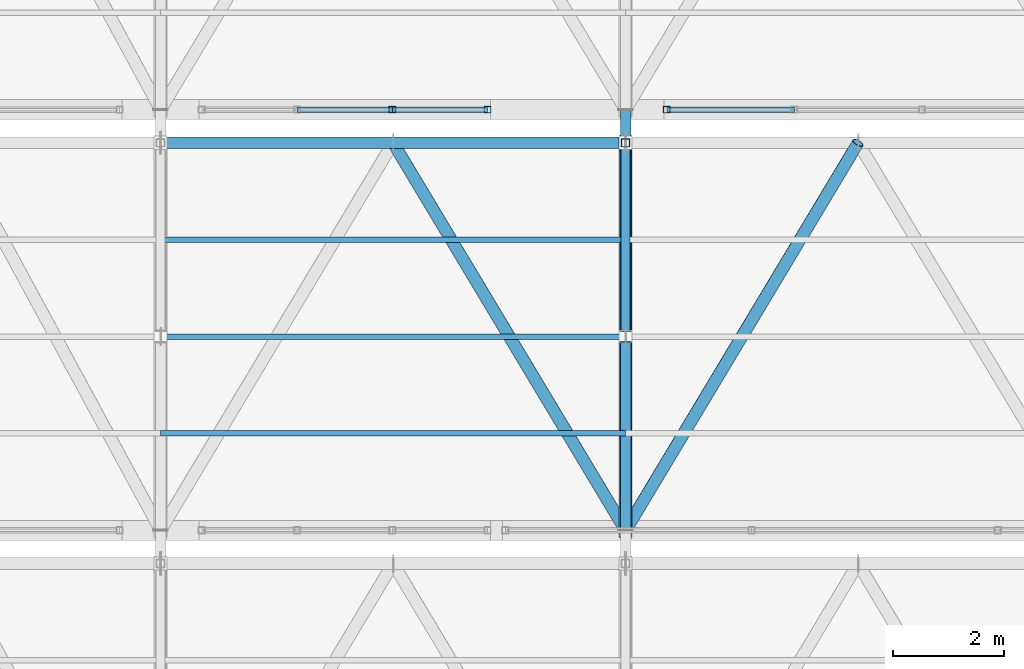
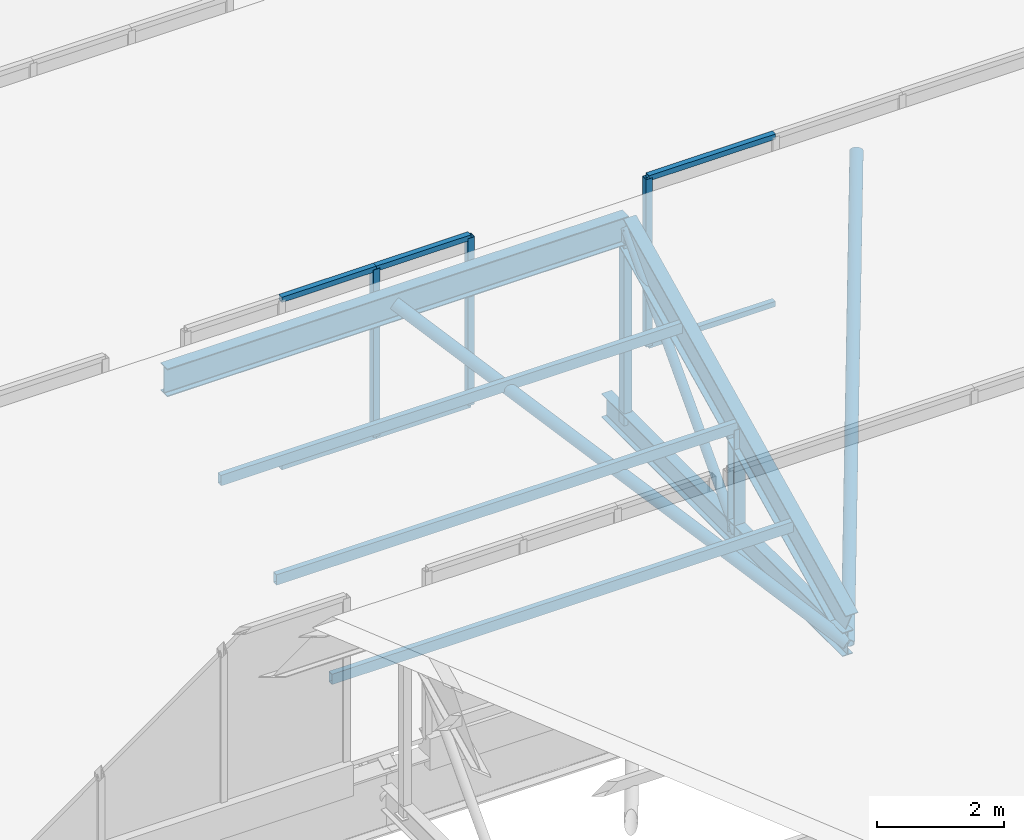
# One storey, part 15 of 57: 20 members, 2 elements without a shape of their own.
"""IFC4 building model written with IfcOpenShell, lengths in metres."""

from ifc_helpers import new_model, si_unit, direction, frame, origin, origin_2d, place, context, subcontext, project, spatial, hollow_rectangle, hollow_circle, i_section, extrude, material, material_profile, profile_set, type_object, element, aggregate, save


model = new_model("IFC4")

# Units and contexts
model_context = context("Model", 3, precision=1e-05, world=origin(), true_north=direction((0.0, 1.0)))
body_context = subcontext(model_context, "Body", "Model", "MODEL_VIEW")
ifc_project = project(units=[si_unit("LENGTHUNIT", "METRE"), si_unit("AREAUNIT", "SQUARE_METRE"), si_unit("VOLUMEUNIT", "CUBIC_METRE"), si_unit("PLANEANGLEUNIT", "RADIAN"), si_unit("MASSUNIT", "GRAM", prefix="KILO")], contexts=[model_context])

# Site, building, storey
site_placement = place(None, origin())
site = spatial("IfcSite", under=ifc_project, at=site_placement, CompositionType="ELEMENT")
building_placement = place(site_placement, origin())
building = spatial("IfcBuilding", under=site, at=building_placement, Name="Zuvorla Pavilion Media Centre", CompositionType="ELEMENT")
storey_placement = place(building_placement, frame((0.0, 0.0, 18.0)))
storey = spatial("IfcBuildingStorey", under=building, at=storey_placement, Name="L04", CompositionType="ELEMENT", Elevation=18.0)

# Curtain wall, members
ifc_material_1 = material(Name="Unitised anodised aluminium and solar glass curtain wall", Category="aluminium")
curtain_wall_type_1 = type_object("IfcCurtainWallType", Name="CW-SYS-91", PredefinedType="USERDEFINED", material=ifc_material_1)
curtain_wall_1_placement = place(storey_placement, origin())
curtain_wall_1 = element("IfcCurtainWall", 1, at=curtain_wall_1_placement, inside=storey, type_object=curtain_wall_type_1, Name="L04 curtain wall CW91 241", ObjectType="CURTAIN WALL", PredefinedType="USERDEFINED")
ifc_material_2 = material(Name="Anodised aluminium 6063-T6", Category="aluminium")
ifc_material_profile_1 = material_profile(ifc_material_2, hollow_rectangle(XDim=0.1201171875, YDim=0.1201171875, WallThickness=0.0048828125, at=origin_2d()), Name="ALU MULL 120x120")
ifc_profile_set_1 = profile_set([ifc_material_profile_1], Name="Anodised aluminium 6063-T6")
member_type_1 = type_object("IfcMemberType", Name="CW-MULL-120", PredefinedType="MULLION", material=ifc_profile_set_1)
member_1_placement = place(storey_placement, frame((129.785888671875, 36.39990234375, 0.0), z_axis=(0.0, 0.0, 1.0), x_axis=(1.0, 0.0, 0.0)))
member_1 = element("IfcMember", 2, at=member_1_placement, type_object=member_type_1, Name="CW91 mullion 3", PredefinedType="MULLION", context=body_context, shape_type="SweptSolid", body=[
    extrude(hollow_rectangle(XDim=0.1201171875, YDim=0.1201171875, WallThickness=0.0048828125, at=origin_2d()), origin(), (0.0, 0.0, 1.0), 3.219970703125),
])
member_2_placement = place(storey_placement, frame((131.506591796875, 36.39990234375, 0.0), z_axis=(0.0, 0.0, 1.0), x_axis=(1.0, 0.0, 0.0)))
member_2 = element("IfcMember", 3, at=member_2_placement, type_object=member_type_1, Name="CW91 mullion 4", PredefinedType="MULLION", context=body_context, shape_type="SweptSolid", body=[
    extrude(hollow_rectangle(XDim=0.1201171875, YDim=0.1201171875, WallThickness=0.0048828125, at=origin_2d()), origin(), (0.0, 0.0, 1.0), 3.219970703125),
])

# Curtain wall, member
curtain_wall_type_2 = type_object("IfcCurtainWallType", Name="CW-SYS-92", PredefinedType="USERDEFINED", material=ifc_material_1)
curtain_wall_2_placement = place(storey_placement, origin())
curtain_wall_2 = element("IfcCurtainWall", 4, at=curtain_wall_2_placement, inside=storey, type_object=curtain_wall_type_2, Name="L04 curtain wall CW92 242", ObjectType="CURTAIN WALL", PredefinedType="USERDEFINED")
member_3_placement = place(storey_placement, frame((134.744384765625, 36.39990234375, 0.0), z_axis=(0.0, 0.0, 1.0), x_axis=(1.0, 0.0, 0.0)))
member_3 = element("IfcMember", 5, at=member_3_placement, type_object=member_type_1, Name="CW92 mullion 1", PredefinedType="MULLION", context=body_context, shape_type="SweptSolid", body=[
    extrude(hollow_rectangle(XDim=0.1201171875, YDim=0.1201171875, WallThickness=0.0048828125, at=origin_2d()), origin(), (0.0, 0.0, 1.0), 3.219970703125),
])

# Member
ifc_material_profile_2 = material_profile(ifc_material_2, hollow_rectangle(XDim=0.10009765625, YDim=0.10009765625, WallThickness=0.00439453125, at=origin_2d()), Name="ALU TRAN 100x100")
ifc_profile_set_2 = profile_set([ifc_material_profile_2], Name="Anodised aluminium 6063-T6")
member_type_2 = type_object("IfcMemberType", Name="CW-TRAN-100", PredefinedType="USERDEFINED", material=ifc_profile_set_2)
member_4_placement = place(storey_placement, frame((128.065185546875, 36.39990234375, 0.0), z_axis=(1.0, 0.0, 0.0), x_axis=(0.0, 1.0, 0.0)))
member_4 = element("IfcMember", 6, at=member_4_placement, type_object=member_type_2, Name="CW91 transom 2.1", ObjectType="TRANSOM", PredefinedType="USERDEFINED", context=body_context, shape_type="SweptSolid", body=[
    extrude(hollow_rectangle(XDim=0.10009765625, YDim=0.10009765625, WallThickness=0.00439453125, at=origin_2d()), origin(), (0.0, 0.0, 1.0), 1.720703125),
])

member_5_placement = place(storey_placement, frame((128.065185546875, 36.39990234375, 3.219970703125), z_axis=(1.0, 0.0, 0.0), x_axis=(0.0, 1.0, 0.0)))
member_5 = element("IfcMember", 7, at=member_5_placement, type_object=member_type_2, Name="CW91 transom 2.2", ObjectType="TRANSOM", PredefinedType="USERDEFINED", context=body_context, shape_type="SweptSolid", body=[
    extrude(hollow_rectangle(XDim=0.10009765625, YDim=0.10009765625, WallThickness=0.00439453125, at=origin_2d()), origin(), (0.0, 0.0, 1.0), 1.720703125),
])

member_6_placement = place(storey_placement, frame((129.785888671875, 36.39990234375, 0.0), z_axis=(1.0, 0.0, 0.0), x_axis=(0.0, 1.0, 0.0)))
member_6 = element("IfcMember", 8, at=member_6_placement, type_object=member_type_2, Name="CW91 transom 3.1", ObjectType="TRANSOM", PredefinedType="USERDEFINED", context=body_context, shape_type="SweptSolid", body=[
    extrude(hollow_rectangle(XDim=0.10009765625, YDim=0.10009765625, WallThickness=0.00439453125, at=origin_2d()), origin(), (0.0, 0.0, 1.0), 1.720703125),
])

member_7_placement = place(storey_placement, frame((129.785888671875, 36.39990234375, 3.219970703125), z_axis=(1.0, 0.0, 0.0), x_axis=(0.0, 1.0, 0.0)))
member_7 = element("IfcMember", 9, at=member_7_placement, type_object=member_type_2, Name="CW91 transom 3.2", ObjectType="TRANSOM", PredefinedType="USERDEFINED", context=body_context, shape_type="SweptSolid", body=[
    extrude(hollow_rectangle(XDim=0.10009765625, YDim=0.10009765625, WallThickness=0.00439453125, at=origin_2d()), origin(), (0.0, 0.0, 1.0), 1.720703125),
])

aggregate(curtain_wall_1, [member_1, member_2, member_4, member_5, member_6, member_7])

member_8_placement = place(storey_placement, frame((134.744384765625, 36.39990234375, 0.0), z_axis=(1.0, 0.0, 0.0), x_axis=(0.0, 1.0, 0.0)))
member_8 = element("IfcMember", 10, at=member_8_placement, type_object=member_type_2, Name="CW92 transom 1.1", ObjectType="TRANSOM", PredefinedType="USERDEFINED", context=body_context, shape_type="SweptSolid", body=[
    extrude(hollow_rectangle(XDim=0.10009765625, YDim=0.10009765625, WallThickness=0.00439453125, at=origin_2d()), origin(), (0.0, 0.0, 1.0), 2.3037109375),
])

member_9_placement = place(storey_placement, frame((134.744384765625, 36.39990234375, 3.219970703125), z_axis=(1.0, 0.0, 0.0), x_axis=(0.0, 1.0, 0.0)))
member_9 = element("IfcMember", 11, at=member_9_placement, type_object=member_type_2, Name="CW92 transom 1.2", ObjectType="TRANSOM", PredefinedType="USERDEFINED", context=body_context, shape_type="SweptSolid", body=[
    extrude(hollow_rectangle(XDim=0.10009765625, YDim=0.10009765625, WallThickness=0.00439453125, at=origin_2d()), origin(), (0.0, 0.0, 1.0), 2.3037109375),
])

aggregate(curtain_wall_2, [member_3, member_8, member_9])

# Members
ifc_material_3 = material(Name="Steel S355", Category="steel")
ifc_material_profile_3 = material_profile(ifc_material_3, hollow_circle(Radius=0.084228515625, WallThickness=0.008056640625, at=origin_2d()), Name="CHS 168.3x8")
ifc_profile_set_3 = profile_set([ifc_material_profile_3], Name="Steel S355")
member_type_3 = type_object("IfcMemberType", Name="MEM-BRC-CHS168", PredefinedType="BRACE", material=ifc_profile_set_3)
member_10_placement = place(storey_placement, frame((134.0, 32.300048828125, -0.8798828125), z_axis=(0.0, 0.681156069412, 0.732138244529), x_axis=(-1.0, 0.0, 0.0)))
element("IfcMember", 12, at=member_10_placement, inside=storey, type_object=member_type_3, Name="L04 diagonal brace TB03 691", PredefinedType="BRACE", context=body_context, shape_type="SweptSolid", body=[
    extrude(hollow_circle(Radius=0.084228515625, WallThickness=0.008056640625, at=origin_2d()), origin(), (0.0, 0.0, 1.0), 5.138427734375),
])
ifc_material_profile_4 = material_profile(ifc_material_3, hollow_circle(Radius=0.109619140625, WallThickness=0.010009765625, at=origin_2d()), Name="CHS 219.1x10")
ifc_profile_set_4 = profile_set([ifc_material_profile_4], Name="Steel S355")
member_type_4 = type_object("IfcMemberType", Name="MEM-BRC-CHS219", PredefinedType="BRACE", material=ifc_profile_set_4)
for number, where, z_axis, x_axis, name in (
    (13, (129.800048828125, 35.800048828125, 2.882080078125), (0.46726169892, -0.778778552081, -0.418533716135), (0.857495564561, 0.514491357322, 0.0), "L04 diagonal brace TB02 716"),
    (14, (134.0, 28.800048828125, -0.8798828125), (0.46726169892, 0.778778552081, 0.418533716135), (-0.857495564561, 0.514491357322, 0.0), "L04 diagonal brace TB02 721"),
):
    element("IfcMember", number, at=place(storey_placement, frame(where, z_axis=z_axis, x_axis=x_axis)), inside=storey, type_object=member_type_4, Name=name, PredefinedType="BRACE", context=body_context, shape_type="SweptSolid", body=[
        extrude(hollow_circle(Radius=0.109619140625, WallThickness=0.010009765625, at=origin_2d()), origin(), (0.0, 0.0, 1.0), 8.988525390625),
    ])
ifc_material_profile_5 = material_profile(ifc_material_3, i_section(OverallWidth=0.19140625, OverallDepth=0.4599609375, WebThickness=0.010009765625, FlangeThickness=0.01611328125, FilletRadius=0.01025390625, at=origin_2d()), Name="UB 457x191x82")
ifc_profile_set_5 = profile_set([ifc_material_profile_5], Name="Steel S355")
member_type_5 = type_object("IfcMemberType", Name="MEM-CHD-UB457", PredefinedType="CHORD", material=ifc_profile_set_5)
member_11_placement = place(storey_placement, frame((134.0, 28.800048828125, -0.8798828125), z_axis=(0.0, 1.0, 0.0), x_axis=(-1.0, 0.0, 0.0)))
element("IfcMember", 15, at=member_11_placement, inside=storey, type_object=member_type_5, Name="L04 chord TC03 688", PredefinedType="CHORD", context=body_context, shape_type="SweptSolid", body=[
    extrude(i_section(OverallWidth=0.19140625, OverallDepth=0.4599609375, WebThickness=0.010009765625, FlangeThickness=0.01611328125, FilletRadius=0.01025390625, at=origin_2d()), origin(), (0.0, 0.0, 1.0), 7.599853515625),
])
ifc_material_profile_6 = material_profile(ifc_material_3, i_section(OverallWidth=0.2099609375, OverallDepth=0.53662109375, WebThickness=0.0107421875, FlangeThickness=0.017333984375, FilletRadius=0.0126953125, at=origin_2d()), Name="UB 533x210x101")
ifc_profile_set_6 = profile_set([ifc_material_profile_6], Name="Steel S355")
member_type_6 = type_object("IfcMemberType", Name="MEM-CHD-UB533", PredefinedType="CHORD", material=ifc_profile_set_6)
member_12_placement = place(storey_placement, frame((125.60009765625, 35.800048828125, 2.882080078125), z_axis=(1.0, 0.0, 0.0), x_axis=(0.0, 1.0, 0.0)))
element("IfcMember", 16, at=member_12_placement, inside=storey, type_object=member_type_6, Name="L04 chord TC02 714", PredefinedType="CHORD", context=body_context, shape_type="SweptSolid", body=[
    extrude(i_section(OverallWidth=0.2099609375, OverallDepth=0.53662109375, WebThickness=0.0107421875, FlangeThickness=0.017333984375, FilletRadius=0.0126953125, at=origin_2d()), origin(), (0.0, 0.0, 1.0), 8.39990234375),
])
ifc_material_profile_7 = material_profile(ifc_material_3, i_section(OverallWidth=0.22900390625, OverallDepth=0.6123046875, WebThickness=0.011962890625, FlangeThickness=0.01953125, FilletRadius=0.0126953125, at=origin_2d()), Name="UB 610x229x125")
ifc_profile_set_7 = profile_set([ifc_material_profile_7], Name="Steel S355")
member_type_7 = type_object("IfcMemberType", Name="MEM-CHD-UB610", PredefinedType="CHORD", material=ifc_profile_set_7)
member_13_placement = place(storey_placement, frame((134.0, 28.800048828125, -0.517822265625), z_axis=(0.0, 0.899513090263, 0.436893809117), x_axis=(-1.0, 0.0, 0.0)))
element("IfcMember", 17, at=member_13_placement, inside=storey, type_object=member_type_7, Name="L04 chord TC01 689", PredefinedType="CHORD", context=body_context, shape_type="SweptSolid", body=[
    extrude(i_section(OverallWidth=0.22900390625, OverallDepth=0.6123046875, WebThickness=0.011962890625, FlangeThickness=0.01953125, FilletRadius=0.0126953125, at=origin_2d()), origin(), (0.0, 0.0, 1.0), 7.781982421875),
])
ifc_material_profile_8 = material_profile(ifc_material_3, hollow_rectangle(XDim=0.10009765625, YDim=0.199951171875, WallThickness=0.008056640625, at=origin_2d()), Name="RHS 200x100x8")
ifc_profile_set_8 = profile_set([ifc_material_profile_8], Name="Steel S355")
member_type_8 = type_object("IfcMemberType", Name="MEM-PUR-RHS200", PredefinedType="PURLIN", material=ifc_profile_set_8)
for number, where, z_axis, x_axis, name in (
    (18, (125.60009765625, 30.550048828125, 0.33203125), (1.0, 0.0, 0.0), (0.0, 1.0, 0.0), "L04 purlin PR01 717"),
    (19, (125.60009765625, 32.300048828125, 1.18212890625), (1.0, 0.0, 0.0), (0.0, 1.0, 0.0), "L04 purlin PR01 718"),
    (20, (125.60009765625, 34.050048828125, 2.031982421875), (1.0, 0.0, 0.0), (0.0, 1.0, 0.0), "L04 purlin PR01 719"),
):
    element("IfcMember", number, at=place(storey_placement, frame(where, z_axis=z_axis, x_axis=x_axis)), inside=storey, type_object=member_type_8, Name=name, PredefinedType="PURLIN", context=body_context, shape_type="SweptSolid", body=[
        extrude(hollow_rectangle(XDim=0.10009765625, YDim=0.199951171875, WallThickness=0.008056640625, at=origin_2d()), origin(), (0.0, 0.0, 1.0), 8.39990234375),
    ])
ifc_material_profile_9 = material_profile(ifc_material_3, hollow_rectangle(XDim=0.14990234375, YDim=0.14990234375, WallThickness=0.008056640625, at=origin_2d()), Name="SHS 150x150x8")
ifc_profile_set_9 = profile_set([ifc_material_profile_9], Name="Steel S355")
member_type_9 = type_object("IfcMemberType", Name="MEM-STR-SHS150", PredefinedType="STRUT", material=ifc_profile_set_9)
member_14_placement = place(storey_placement, frame((134.0, 35.800048828125, -0.8798828125), z_axis=(0.0, 0.0, 1.0), x_axis=(1.0, 0.0, 0.0)))
element("IfcMember", 21, at=member_14_placement, inside=storey, type_object=member_type_9, Name="L04 vertical strut TS01 690", PredefinedType="STRUT", context=body_context, shape_type="SweptSolid", body=[
    extrude(hollow_rectangle(XDim=0.14990234375, YDim=0.14990234375, WallThickness=0.008056640625, at=origin_2d()), origin(), (0.0, 0.0, 1.0), 3.761962890625),
])
ifc_material_profile_10 = material_profile(ifc_material_3, i_section(OverallWidth=0.205810546875, OverallDepth=0.209716796875, WebThickness=0.009521484375, FlangeThickness=0.01416015625, FilletRadius=0.01025390625, at=origin_2d()), Name="UC 203x203x60")
ifc_profile_set_10 = profile_set([ifc_material_profile_10], Name="Steel S355")
member_type_10 = type_object("IfcMemberType", Name="MEM-STR-UC203", PredefinedType="STRUT", material=ifc_profile_set_10)
member_15_placement = place(storey_placement, frame((134.0, 32.300048828125, -0.8798828125), z_axis=(0.0, 0.0, 1.0), x_axis=(1.0, 0.0, 0.0)))
element("IfcMember", 22, at=member_15_placement, inside=storey, type_object=member_type_10, Name="L04 vertical strut TS02 692", PredefinedType="STRUT", context=body_context, shape_type="SweptSolid", body=[
    extrude(i_section(OverallWidth=0.205810546875, OverallDepth=0.209716796875, WebThickness=0.009521484375, FlangeThickness=0.01416015625, FilletRadius=0.01025390625, at=origin_2d()), origin(), (0.0, 0.0, 1.0), 2.06201171875),
])

save(model, "model.ifc")
